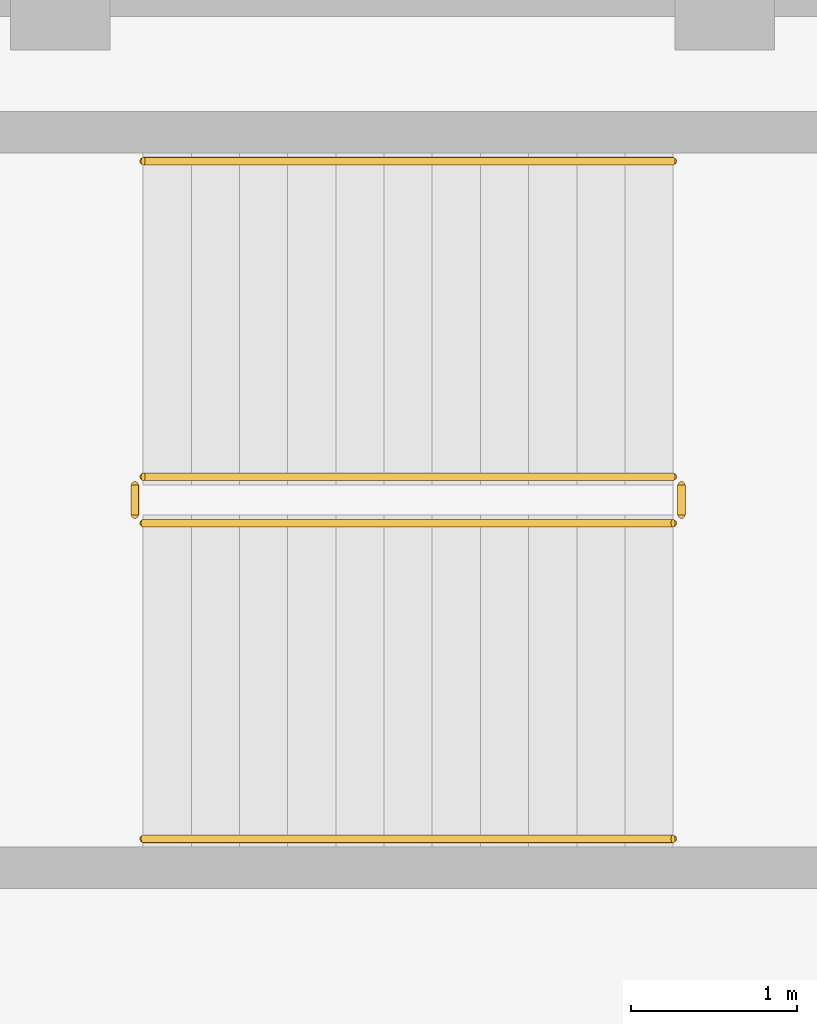
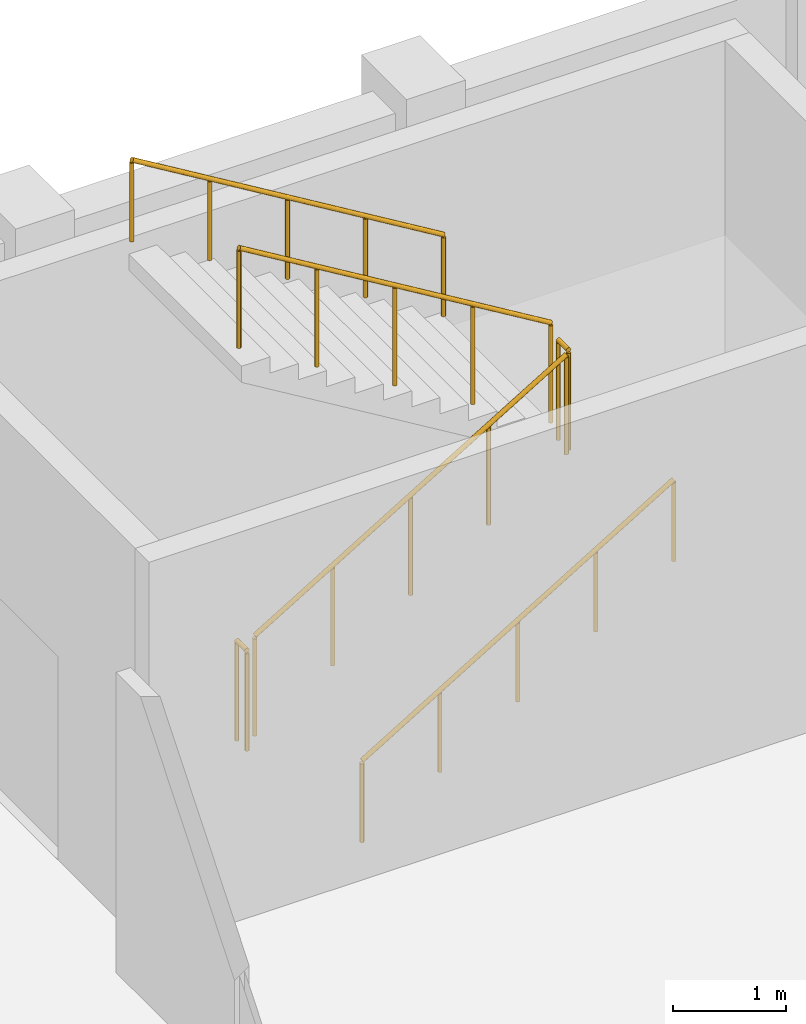
# One storey, part 13 of 15: 6 railings.
"""IFC4 building model written with IfcOpenShell, lengths in metres."""

from ifc_helpers import new_model, si_unit, derived_unit, direction, frame, origin, origin_2d, place, context, subcontext, project, spatial, circle, extrude, material, type_object, element, save


model = new_model("IFC4")

# Units and contexts
model_context = context("Model", 3, precision=1e-05, world=origin(), true_north=direction((0.0, 1.0)))
body_context = subcontext(model_context, "Body", "Model", "MODEL_VIEW")
ifc_project = project(units=[si_unit("LENGTHUNIT", "METRE"), si_unit("AREAUNIT", "SQUARE_METRE"), si_unit("VOLUMEUNIT", "CUBIC_METRE"), si_unit("PLANEANGLEUNIT", "RADIAN"), si_unit("MASSUNIT", "GRAM", prefix="KILO"), derived_unit("THERMALTRANSMITTANCEUNIT", [(si_unit("POWERUNIT", "WATT"), 1), (si_unit("LENGTHUNIT", "METRE"), -2), (si_unit("THERMODYNAMICTEMPERATUREUNIT", "KELVIN"), -1)])], contexts=[model_context])

# Site, building, storey
site_placement = place(None, origin())
site = spatial("IfcSite", under=ifc_project, at=site_placement, CompositionType="ELEMENT")
building_placement = place(site_placement, origin())
building = spatial("IfcBuilding", under=site, at=building_placement, Name="Keldorne Ridge Multi-Sports Centre", CompositionType="ELEMENT")
storey_placement = place(building_placement, frame((0.0, 0.0, -4.199951171875)))
storey = spatial("IfcBuildingStorey", under=building, at=storey_placement, Name="B01", CompositionType="ELEMENT", Elevation=-4.199951171875)

# Railings
ifc_material_1 = material(Name="Laminated glass and stainless steel", Category="steel")
railing_type_1 = type_object("IfcRailingType", Name="RLG-BL-01", PredefinedType="BALUSTRADE", material=ifc_material_1)
railing_1_placement = place(storey_placement, frame((144.5, 113.75, 0.175048828125)))
element("IfcRailing", 1, at=railing_1_placement, inside=storey, type_object=railing_type_1, Name="B01 ST-03 stair guard 1", PredefinedType="BALUSTRADE", context=body_context, shape_type="SweptSolid", body=[
    extrude(circle(Radius=0.02392578125, at=origin_2d()), frame((0.0, 0.0, 1.076171875), z_axis=(0.856206652436, 0.0, 0.516633495163), x_axis=(0.0, 1.0, 0.0)), (0.0, 0.0, 1.0), 3.7255859375),
    extrude(circle(Radius=0.02099609375, at=origin_2d()), origin(), (0.0, 0.0, 1.0), 1.052001953125),
    extrude(circle(Radius=0.02099609375, at=origin_2d()), frame((0.79736328125, 0.0, 0.481201171875)), (0.0, 0.0, 1.0), 1.052001953125),
    extrude(circle(Radius=0.02099609375, at=origin_2d()), frame((1.594970703125, 0.0, 0.96240234375)), (0.0, 0.0, 1.0), 1.052001953125),
    extrude(circle(Radius=0.02099609375, at=origin_2d()), frame((2.392578125, 0.0, 1.443603515625)), (0.0, 0.0, 1.0), 1.052001953125),
    extrude(circle(Radius=0.02099609375, at=origin_2d()), frame((3.18994140625, 0.0, 1.9248046875)), (0.0, 0.0, 1.0), 1.052001953125),
])
railing_2_placement = place(storey_placement, frame((147.739990234375, 113.800048828125, 2.099853515625)))
element("IfcRailing", 2, at=railing_2_placement, inside=storey, type_object=railing_type_1, Name="B01 ST-03 stair guard 2", PredefinedType="BALUSTRADE", context=body_context, shape_type="SweptSolid", body=[
    extrude(circle(Radius=0.02392578125, at=origin_2d()), frame((0.0, 0.0, 1.076171875), z_axis=(0.0, 1.0, 0.0), x_axis=(-1.0, 0.0, 0.0)), (0.0, 0.0, 1.0), 0.179931640625),
    extrude(circle(Radius=0.02099609375, at=origin_2d()), origin(), (0.0, 0.0, 1.0), 1.052001953125),
    extrude(circle(Radius=0.02099609375, at=origin_2d()), frame((0.0, 0.179931640625, 0.0)), (0.0, 0.0, 1.0), 1.052001953125),
])
railing_3_placement = place(storey_placement, frame((147.68994140625, 114.030029296875, 2.27490234375)))
element("IfcRailing", 3, at=railing_3_placement, inside=storey, type_object=railing_type_1, Name="B01 ST-03 stair guard 3", PredefinedType="BALUSTRADE", context=body_context, shape_type="SweptSolid", body=[
    extrude(circle(Radius=0.02392578125, at=origin_2d()), frame((0.0, 0.0, 1.076171875), z_axis=(-0.856177665481, 0.0, 0.516681531633), x_axis=(0.0, -1.0, 0.0)), (0.0, 0.0, 1.0), 3.725830078125),
    extrude(circle(Radius=0.02099609375, at=origin_2d()), origin(), (0.0, 0.0, 1.0), 1.052001953125),
    extrude(circle(Radius=0.02099609375, at=origin_2d()), frame((-0.79736328125, 0.0, 0.481201171875)), (0.0, 0.0, 1.0), 1.052001953125),
    extrude(circle(Radius=0.02099609375, at=origin_2d()), frame((-1.594970703125, 0.0, 0.96240234375)), (0.0, 0.0, 1.0), 1.052001953125),
    extrude(circle(Radius=0.02099609375, at=origin_2d()), frame((-2.392578125, 0.0, 1.44384765625)), (0.0, 0.0, 1.0), 1.052001953125),
    extrude(circle(Radius=0.02099609375, at=origin_2d()), frame((-3.18994140625, 0.0, 1.925048828125)), (0.0, 0.0, 1.0), 1.052001953125),
])
railing_4_placement = place(storey_placement, frame((144.449951171875, 113.800048828125, 0.0)))
element("IfcRailing", 4, at=railing_4_placement, inside=storey, type_object=railing_type_1, Name="B01 ST-03 stair guard 4", PredefinedType="BALUSTRADE", context=body_context, shape_type="SweptSolid", body=[
    extrude(circle(Radius=0.02392578125, at=origin_2d()), frame((0.0, 0.0, 1.076171875), z_axis=(0.0, 1.0, 0.0), x_axis=(-1.0, 0.0, 0.0)), (0.0, 0.0, 1.0), 0.179931640625),
    extrude(circle(Radius=0.02099609375, at=origin_2d()), origin(), (0.0, 0.0, 1.0), 1.052001953125),
    extrude(circle(Radius=0.02099609375, at=origin_2d()), frame((0.0, 0.179931640625, 0.0)), (0.0, 0.0, 1.0), 1.052001953125),
])
ifc_material_2 = material(Name="Stainless steel", Category="steel")
railing_type_2 = type_object("IfcRailingType", Name="RLG-HR-01", PredefinedType="HANDRAIL", material=ifc_material_2)
railing_5_placement = place(storey_placement, frame((144.5, 111.85009765625, 0.175048828125)))
element("IfcRailing", 5, at=railing_5_placement, inside=storey, type_object=railing_type_2, Name="B01 ST-03 stair handrail 1", PredefinedType="HANDRAIL", context=body_context, shape_type="SweptSolid", body=[
    extrude(circle(Radius=0.02392578125, at=origin_2d()), frame((0.0, 0.0, 0.8759765625), z_axis=(0.856206652436, 0.0, 0.516633495163), x_axis=(0.0, 1.0, 0.0)), (0.0, 0.0, 1.0), 3.7255859375),
    extrude(circle(Radius=0.02099609375, at=origin_2d()), origin(), (0.0, 0.0, 1.0), 0.851806640625),
    extrude(circle(Radius=0.02099609375, at=origin_2d()), frame((0.79736328125, 0.0, 0.481201171875)), (0.0, 0.0, 1.0), 0.851806640625),
    extrude(circle(Radius=0.02099609375, at=origin_2d()), frame((1.594970703125, 0.0, 0.96240234375)), (0.0, 0.0, 1.0), 0.851806640625),
    extrude(circle(Radius=0.02099609375, at=origin_2d()), frame((2.392578125, 0.0, 1.443603515625)), (0.0, 0.0, 1.0), 0.851806640625),
    extrude(circle(Radius=0.02099609375, at=origin_2d()), frame((3.18994140625, 0.0, 1.9248046875)), (0.0, 0.0, 1.0), 0.851806640625),
])
railing_6_placement = place(storey_placement, frame((147.68994140625, 115.929931640625, 2.27490234375)))
element("IfcRailing", 6, at=railing_6_placement, inside=storey, type_object=railing_type_2, Name="B01 ST-03 stair handrail 2", PredefinedType="HANDRAIL", context=body_context, shape_type="SweptSolid", body=[
    extrude(circle(Radius=0.02392578125, at=origin_2d()), frame((0.0, 0.0, 0.8759765625), z_axis=(-0.856177665481, 0.0, 0.516681531633), x_axis=(0.0, -1.0, 0.0)), (0.0, 0.0, 1.0), 3.725830078125),
    extrude(circle(Radius=0.02099609375, at=origin_2d()), origin(), (0.0, 0.0, 1.0), 0.851806640625),
    extrude(circle(Radius=0.02099609375, at=origin_2d()), frame((-0.79736328125, 0.0, 0.481201171875)), (0.0, 0.0, 1.0), 0.851806640625),
    extrude(circle(Radius=0.02099609375, at=origin_2d()), frame((-1.594970703125, 0.0, 0.96240234375)), (0.0, 0.0, 1.0), 0.851806640625),
    extrude(circle(Radius=0.02099609375, at=origin_2d()), frame((-2.392578125, 0.0, 1.44384765625)), (0.0, 0.0, 1.0), 0.851806640625),
    extrude(circle(Radius=0.02099609375, at=origin_2d()), frame((-3.18994140625, 0.0, 1.925048828125)), (0.0, 0.0, 1.0), 0.851806640625),
])

save(model, "model.ifc")
